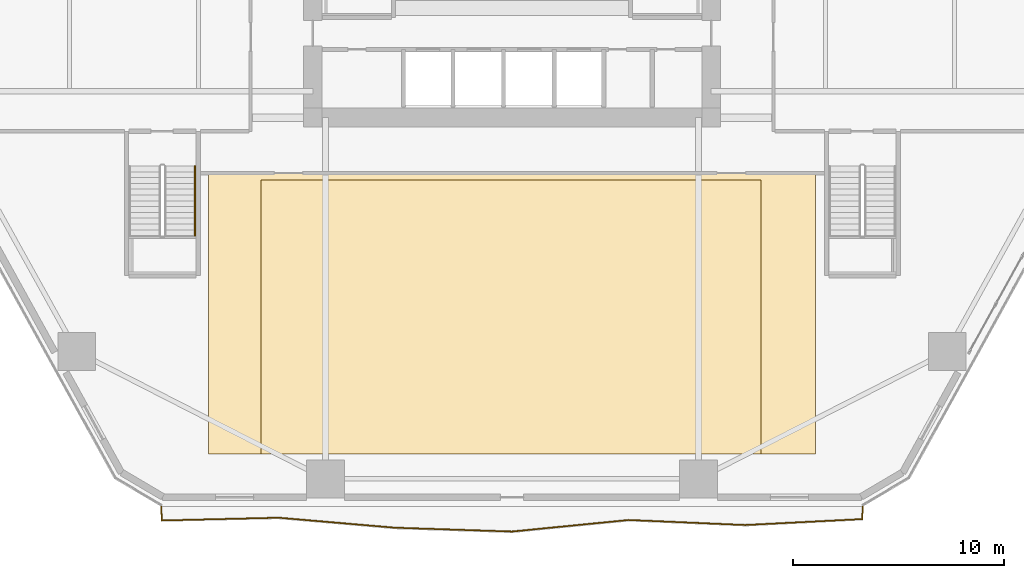
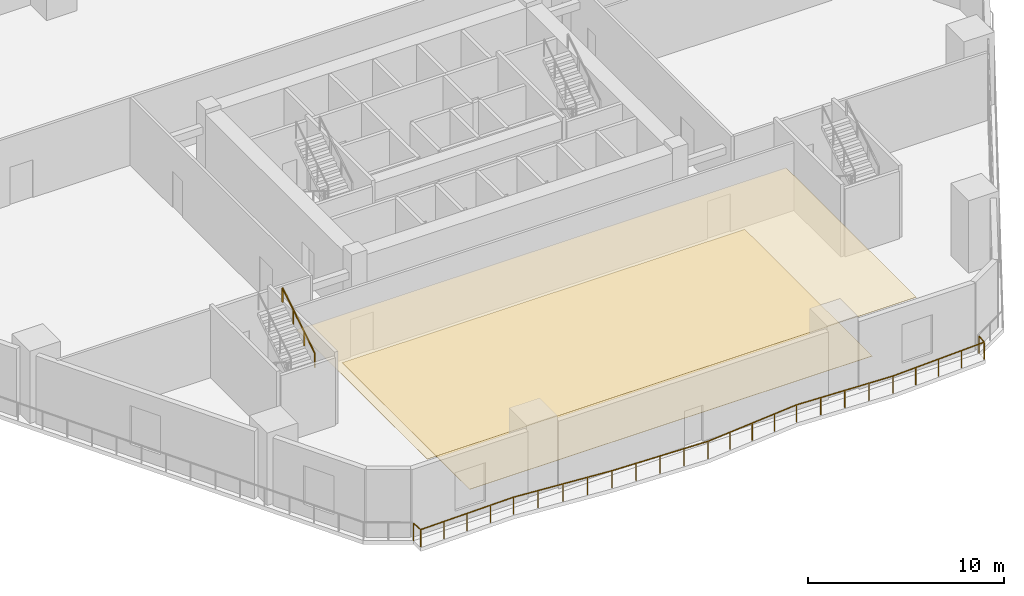
# One storey, part 14 of 18: 2 coverings, 2 railings.
"""IFC4 building model written with IfcOpenShell, lengths in metres."""

from ifc_helpers import new_model, si_unit, direction, frame, origin, origin_2d, place, context, subcontext, project, spatial, polyline, rectangle, outline, extrude, material, layer, layer_set, type_object, element, save


model = new_model("IFC4")

# Units and contexts
model_context = context("Model", 3, precision=1e-05, world=origin(), true_north=direction((0.0, 1.0)))
body_context = subcontext(model_context, "Body", "Model", "MODEL_VIEW")
ifc_project = project(units=[si_unit("LENGTHUNIT", "METRE"), si_unit("AREAUNIT", "SQUARE_METRE"), si_unit("VOLUMEUNIT", "CUBIC_METRE"), si_unit("PLANEANGLEUNIT", "RADIAN"), si_unit("MASSUNIT", "GRAM", prefix="KILO")], contexts=[model_context])

# Site, building, storey
site_placement = place(None, origin())
site = spatial("IfcSite", under=ifc_project, at=site_placement, CompositionType="ELEMENT")
building_placement = place(site_placement, origin())
building = spatial("IfcBuilding", under=site, at=building_placement, Name="Cinnabar Lancet Tower", CompositionType="ELEMENT")
storey_placement = place(building_placement, frame((0.0, 0.0, 15.0)))
storey = spatial("IfcBuildingStorey", under=building, at=storey_placement, Name="L03", CompositionType="ELEMENT", Elevation=15.0)

# Coverings
ifc_material_1 = material(Name="Mineral-fibre acoustic suspended ceiling tile", Category="finish")
ifc_layer_1 = layer(ifc_material_1, 0.02197265625)
ifc_layer_set_1 = layer_set([ifc_layer_1], Name="Mineral-fibre acoustic suspended ceiling tile")
covering_type_1 = type_object("IfcCoveringType", Name="ARC-COV-CEIL-MIN", PredefinedType="CEILING", material=ifc_layer_set_1)
covering_1_placement = place(storey_placement, frame((0.0, 0.0, 2.75)))
element("IfcCovering", 1, at=covering_1_placement, inside=storey, type_object=covering_type_1, Name="L03 Suspended Acoustic Ceiling", PredefinedType="CEILING", context=body_context, shape_type="SweptSolid", body=[
    extrude(outline(polyline([(18.0, 2.5), (46.800048828125, 2.5), (46.800048828125, 15.800048828125), (18.0, 15.800048828125), (18.0, 2.5)])), origin(), (0.0, 0.0, 1.0), 0.02197265625),
])
ifc_material_2 = material(Name="Engineered tropical Kempas timber flooring", Category="wood")
ifc_layer_2 = layer(ifc_material_2, 0.02001953125)
ifc_layer_set_2 = layer_set([ifc_layer_2], Name="Engineered tropical Kempas timber flooring")
covering_type_2 = type_object("IfcCoveringType", Name="ARC-COV-FLR-TIM", PredefinedType="FLOORING", material=ifc_layer_set_2)
covering_2_placement = place(storey_placement, origin())
element("IfcCovering", 2, at=covering_2_placement, inside=storey, type_object=covering_type_2, Name="L03 Architectural Floor Finish", PredefinedType="FLOORING", context=body_context, shape_type="SweptSolid", body=[
    extrude(outline(polyline([(20.5, 2.5), (44.199951171875, 2.5), (44.199951171875, 15.5), (20.5, 15.5), (20.5, 2.5)])), origin(), (0.0, 0.0, 1.0), 0.02001953125),
])

# Railings
ifc_material_3 = material(Name="Laminated safety glass and bronze stainless steel balustrade", Category="steel")
railing_type_1 = type_object("IfcRailingType", Name="ENV-RLG-BAL-1100", PredefinedType="BALUSTRADE", material=ifc_material_3)
railing_1_placement = place(storey_placement, frame((15.756103515625, 0.0, 0.0)))
element("IfcRailing", 3, at=railing_1_placement, inside=storey, type_object=railing_type_1, Name="L03 Face 1 Wave Balcony Balustrade", PredefinedType="BALUSTRADE", context=body_context, shape_type="SweptSolid", body=[
    extrude(rectangle(XDim=0.048095703125, YDim=0.048095703125, at=origin_2d()), frame((0.0, 0.0, 1.076171875), z_axis=(0.055694726436, -0.99844784413, 0.0), x_axis=(0.99844784413, 0.055694726436, 0.0)), (0.0, 0.0, 1.0), 0.661865234375),
    extrude(rectangle(XDim=0.048095703125, YDim=0.048095703125, at=origin_2d()), frame((0.036865234375, -0.660888671875, 1.076171875), z_axis=(0.99972095227, 0.02362239598, 0.0), x_axis=(-0.02362239598, 0.99972095227, 0.0)), (0.0, 0.0, 1.0), 5.53955078125),
    extrude(rectangle(XDim=0.048095703125, YDim=0.048095703125, at=origin_2d()), frame((5.574951171875, -0.530029296875, 1.076171875), z_axis=(0.996354978118, -0.08530391304, 0.0), x_axis=(0.08530391304, 0.996354978118, 0.0)), (0.0, 0.0, 1.0), 5.55517578125),
    extrude(rectangle(XDim=0.048095703125, YDim=0.048095703125, at=origin_2d()), frame((11.10986328125, -1.00390625, 1.076171875), z_axis=(0.999464646231, -0.032717288018, 0.0), x_axis=(0.032717288018, 0.999464646231, 0.0)), (0.0, 0.0, 1.0), 5.536865234375),
    extrude(rectangle(XDim=0.048095703125, YDim=0.048095703125, at=origin_2d()), frame((16.643798828125, -1.18505859375, 1.076171875), z_axis=(0.9951314941, 0.098556123357, 0.0), x_axis=(-0.098556123357, 0.9951314941, 0.0)), (0.0, 0.0, 1.0), 5.561279296875),
    extrude(rectangle(XDim=0.048095703125, YDim=0.048095703125, at=origin_2d()), frame((22.177978515625, -0.636962890625, 1.076171875), z_axis=(0.999068919653, -0.043142714143, 0.0), x_axis=(0.043142714143, 0.999068919653, 0.0)), (0.0, 0.0, 1.0), 5.5400390625),
    extrude(rectangle(XDim=0.048095703125, YDim=0.048095703125, at=origin_2d()), frame((27.712890625, -0.8759765625, 1.076171875), z_axis=(0.998715175651, 0.05067541735, 0.0), x_axis=(-0.05067541735, 0.998715175651, 0.0)), (0.0, 0.0, 1.0), 5.545166015625),
    extrude(rectangle(XDim=0.048095703125, YDim=0.048095703125, at=origin_2d()), frame((33.2509765625, -0.594970703125, 1.076171875), z_axis=(0.061842827644, 0.998085900446, 0.0), x_axis=(-0.998085900446, 0.061842827644, 0.0)), (0.0, 0.0, 1.0), 0.59619140625),
    extrude(rectangle(XDim=0.0419921875, YDim=0.0419921875, at=origin_2d()), origin(), (0.0, 0.0, 1.0), 1.052001953125),
    extrude(rectangle(XDim=0.0419921875, YDim=0.0419921875, at=origin_2d()), frame((0.036865234375, -0.660888671875, 0.0)), (0.0, 0.0, 1.0), 1.052001953125),
    extrude(rectangle(XDim=0.0419921875, YDim=0.0419921875, at=origin_2d()), frame((1.42138671875, -0.628173828125, 0.0)), (0.0, 0.0, 1.0), 1.052001953125),
    extrude(rectangle(XDim=0.0419921875, YDim=0.0419921875, at=origin_2d()), frame((2.805908203125, -0.595458984375, 0.0)), (0.0, 0.0, 1.0), 1.052001953125),
    extrude(rectangle(XDim=0.0419921875, YDim=0.0419921875, at=origin_2d()), frame((4.1904296875, -0.562744140625, 0.0)), (0.0, 0.0, 1.0), 1.052001953125),
    extrude(rectangle(XDim=0.0419921875, YDim=0.0419921875, at=origin_2d()), frame((5.574951171875, -0.530029296875, 0.0)), (0.0, 0.0, 1.0), 1.052001953125),
    extrude(rectangle(XDim=0.0419921875, YDim=0.0419921875, at=origin_2d()), frame((6.958740234375, -0.6484375, 0.0)), (0.0, 0.0, 1.0), 1.052001953125),
    extrude(rectangle(XDim=0.0419921875, YDim=0.0419921875, at=origin_2d()), frame((8.34228515625, -0.76708984375, 0.0)), (0.0, 0.0, 1.0), 1.052001953125),
    extrude(rectangle(XDim=0.0419921875, YDim=0.0419921875, at=origin_2d()), frame((9.72607421875, -0.885498046875, 0.0)), (0.0, 0.0, 1.0), 1.052001953125),
    extrude(rectangle(XDim=0.0419921875, YDim=0.0419921875, at=origin_2d()), frame((11.10986328125, -1.00390625, 0.0)), (0.0, 0.0, 1.0), 1.052001953125),
    extrude(rectangle(XDim=0.0419921875, YDim=0.0419921875, at=origin_2d()), frame((12.493408203125, -1.04931640625, 0.0)), (0.0, 0.0, 1.0), 1.052001953125),
    extrude(rectangle(XDim=0.0419921875, YDim=0.0419921875, at=origin_2d()), frame((13.876953125, -1.094482421875, 0.0)), (0.0, 0.0, 1.0), 1.052001953125),
    extrude(rectangle(XDim=0.0419921875, YDim=0.0419921875, at=origin_2d()), frame((15.26025390625, -1.1396484375, 0.0)), (0.0, 0.0, 1.0), 1.052001953125),
    extrude(rectangle(XDim=0.0419921875, YDim=0.0419921875, at=origin_2d()), frame((16.643798828125, -1.18505859375, 0.0)), (0.0, 0.0, 1.0), 1.052001953125),
    extrude(rectangle(XDim=0.0419921875, YDim=0.0419921875, at=origin_2d()), frame((18.02734375, -1.048095703125, 0.0)), (0.0, 0.0, 1.0), 1.052001953125),
    extrude(rectangle(XDim=0.0419921875, YDim=0.0419921875, at=origin_2d()), frame((19.410888671875, -0.9111328125, 0.0)), (0.0, 0.0, 1.0), 1.052001953125),
    extrude(rectangle(XDim=0.0419921875, YDim=0.0419921875, at=origin_2d()), frame((20.79443359375, -0.77392578125, 0.0)), (0.0, 0.0, 1.0), 1.052001953125),
    extrude(rectangle(XDim=0.0419921875, YDim=0.0419921875, at=origin_2d()), frame((22.177978515625, -0.636962890625, 0.0)), (0.0, 0.0, 1.0), 1.052001953125),
    extrude(rectangle(XDim=0.0419921875, YDim=0.0419921875, at=origin_2d()), frame((23.561767578125, -0.69677734375, 0.0)), (0.0, 0.0, 1.0), 1.052001953125),
    extrude(rectangle(XDim=0.0419921875, YDim=0.0419921875, at=origin_2d()), frame((24.9453125, -0.75634765625, 0.0)), (0.0, 0.0, 1.0), 1.052001953125),
    extrude(rectangle(XDim=0.0419921875, YDim=0.0419921875, at=origin_2d()), frame((26.3291015625, -0.816162109375, 0.0)), (0.0, 0.0, 1.0), 1.052001953125),
    extrude(rectangle(XDim=0.0419921875, YDim=0.0419921875, at=origin_2d()), frame((27.712890625, -0.8759765625, 0.0)), (0.0, 0.0, 1.0), 1.052001953125),
    extrude(rectangle(XDim=0.0419921875, YDim=0.0419921875, at=origin_2d()), frame((29.097412109375, -0.8056640625, 0.0)), (0.0, 0.0, 1.0), 1.052001953125),
    extrude(rectangle(XDim=0.0419921875, YDim=0.0419921875, at=origin_2d()), frame((30.48193359375, -0.7353515625, 0.0)), (0.0, 0.0, 1.0), 1.052001953125),
    extrude(rectangle(XDim=0.0419921875, YDim=0.0419921875, at=origin_2d()), frame((31.866455078125, -0.665283203125, 0.0)), (0.0, 0.0, 1.0), 1.052001953125),
    extrude(rectangle(XDim=0.0419921875, YDim=0.0419921875, at=origin_2d()), frame((33.2509765625, -0.594970703125, 0.0)), (0.0, 0.0, 1.0), 1.052001953125),
    extrude(rectangle(XDim=0.0419921875, YDim=0.0419921875, at=origin_2d()), frame((33.287841796875, 0.0, 0.0)), (0.0, 0.0, 1.0), 1.052001953125),
])
ifc_material_4 = material(Name="Brushed stainless steel handrail", Category="steel")
railing_type_2 = type_object("IfcRailingType", Name="HANDRAIL-STAIR", PredefinedType="HANDRAIL", material=ifc_material_4)
railing_2_placement = place(storey_placement, frame((17.364990234375, 12.85009765625, 2.423095703125)))
element("IfcRailing", 4, at=railing_2_placement, inside=storey, type_object=railing_type_2, Name="L03 ST-3 stair handrail 2", PredefinedType="HANDRAIL", context=body_context, shape_type="SweptSolid", body=[
    extrude(rectangle(XDim=0.048095703125, YDim=0.048095703125, at=origin_2d()), frame((0.0, 0.0, 0.8759765625), z_axis=(0.0, 0.846319618018, 0.532675421018), x_axis=(-1.0, 0.0, 0.0)), (0.0, 0.0, 1.0), 3.89892578125),
    extrude(rectangle(XDim=0.0419921875, YDim=0.0419921875, at=origin_2d()), origin(), (0.0, 0.0, 1.0), 0.851806640625),
    extrude(rectangle(XDim=0.0419921875, YDim=0.0419921875, at=origin_2d()), frame((0.0, 1.099853515625, 0.6923828125)), (0.0, 0.0, 1.0), 0.851806640625),
    extrude(rectangle(XDim=0.0419921875, YDim=0.0419921875, at=origin_2d()), frame((0.0, 2.199951171875, 1.384521484375)), (0.0, 0.0, 1.0), 0.851806640625),
    extrude(rectangle(XDim=0.0419921875, YDim=0.0419921875, at=origin_2d()), frame((0.0, 3.2998046875, 2.076904296875)), (0.0, 0.0, 1.0), 0.851806640625),
])

save(model, "model.ifc")
